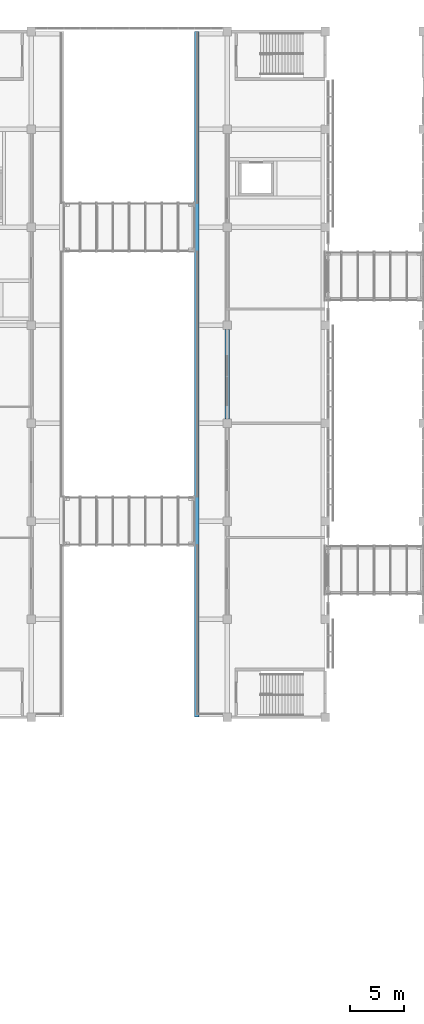
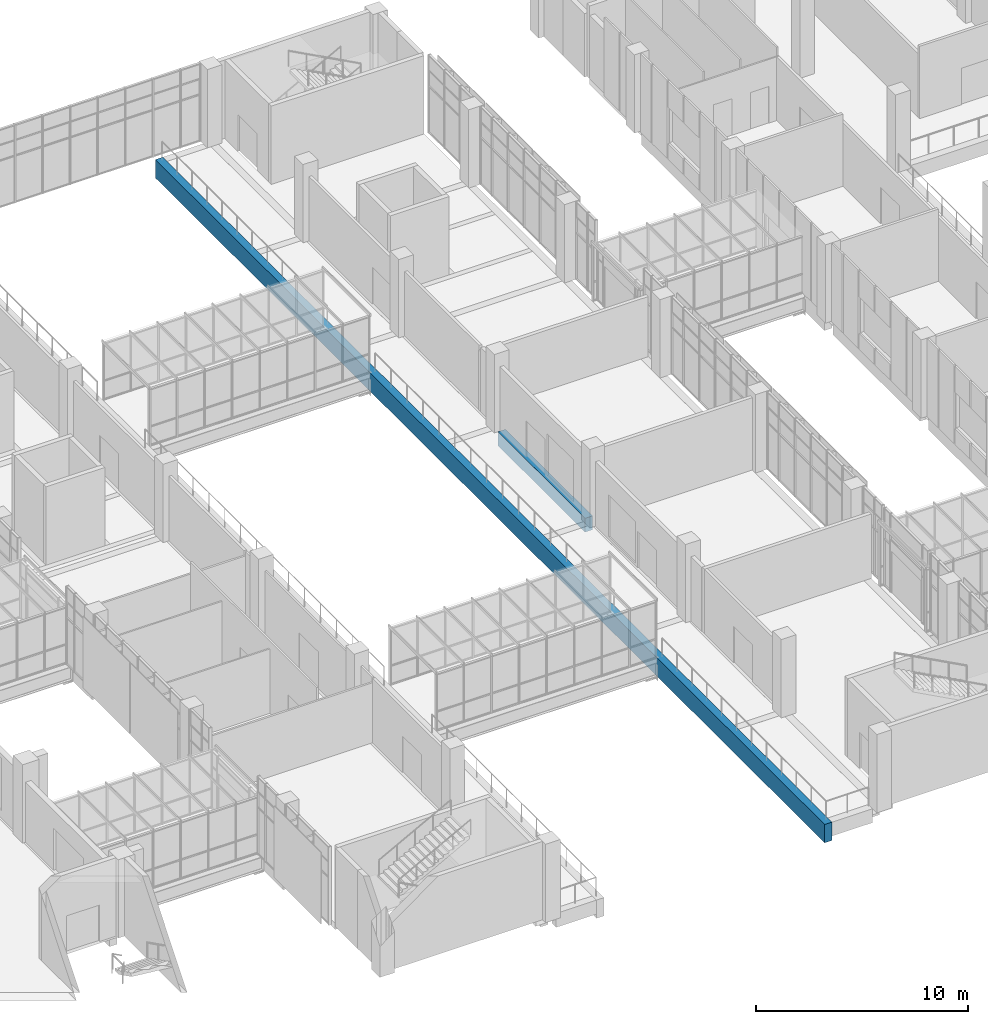
# One storey, part 22 of 88: 2 beams.
"""IFC4 building model written with IfcOpenShell, lengths in metres."""

from ifc_helpers import new_model, si_unit, direction, frame, origin, origin_2d, place, context, subcontext, project, spatial, rectangle, extrude, material, material_profile, profile_set, type_object, element, save


model = new_model("IFC4")

# Units and contexts
model_context = context("Model", 3, precision=1e-05, world=origin(), true_north=direction((0.0, 1.0)))
body_context = subcontext(model_context, "Body", "Model", "MODEL_VIEW")
ifc_project = project(units=[si_unit("LENGTHUNIT", "METRE"), si_unit("AREAUNIT", "SQUARE_METRE"), si_unit("VOLUMEUNIT", "CUBIC_METRE"), si_unit("PLANEANGLEUNIT", "RADIAN"), si_unit("MASSUNIT", "GRAM", prefix="KILO")], contexts=[model_context])

# Site, building, storey
site_placement = place(None, origin())
site = spatial("IfcSite", under=ifc_project, at=site_placement, CompositionType="ELEMENT")
building_placement = place(site_placement, origin())
building = spatial("IfcBuilding", under=site, at=building_placement, Name="Guidao Yard Department Store", CompositionType="ELEMENT")
storey_placement = place(building_placement, frame((0.0, 0.0, 6.0)))
storey = spatial("IfcBuildingStorey", under=building, at=storey_placement, Name="L01", CompositionType="ELEMENT", Elevation=6.0)

# Beams
ifc_material_1 = material(Name="Concrete C40", Category="concrete")
ifc_material_profile_1 = material_profile(ifc_material_1, rectangle(XDim=0.39990234375, YDim=1.050048828125, at=origin_2d()), Name="Bridge landing beam 400 x 1050 C40")
ifc_profile_set_1 = profile_set([ifc_material_profile_1], Name="Concrete C40")
beam_type_1 = type_object("IfcBeamType", Name="Bridge landing beam 400 x 1050 C40", PredefinedType="BEAM", material=ifc_profile_set_1)
beam_1_placement = place(storey_placement, frame((96.199951171875, 45.0, -0.52490234375), z_axis=(0.0, 1.0, 0.0), x_axis=(-1.0, 0.0, 0.0)))
element("IfcBeam", 1, at=beam_1_placement, inside=storey, type_object=beam_type_1, Name="Beam LB12", PredefinedType="BEAM", context=body_context, shape_type="SweptSolid", body=[
    extrude(rectangle(XDim=0.39990234375, YDim=1.050048828125, at=origin_2d()), origin(), (0.0, 0.0, 1.0), 63.0),
])
ifc_material_2 = material(Name="Concrete C40", Category="concrete")
ifc_material_profile_2 = material_profile(ifc_material_2, rectangle(XDim=0.39990234375, YDim=0.800048828125, at=origin_2d()), Name="Edge beam 400 x 800 C40")
ifc_profile_set_2 = profile_set([ifc_material_profile_2], Name="Concrete C40")
beam_type_2 = type_object("IfcBeamType", Name="Edge beam 400 x 800 C40", PredefinedType="BEAM", material=ifc_profile_set_2)
beam_2_placement = place(storey_placement, frame((99.0, 72.39990234375, -0.39990234375), z_axis=(0.0, 1.0, 0.0), x_axis=(-1.0, 0.0, 0.0)))
element("IfcBeam", 2, at=beam_2_placement, inside=storey, type_object=beam_type_2, Name="Beam EB51", PredefinedType="BEAM", context=body_context, shape_type="SweptSolid", body=[
    extrude(rectangle(XDim=0.39990234375, YDim=0.800048828125, at=origin_2d()), origin(), (0.0, 0.0, 1.0), 8.2001953125),
])

save(model, "model.ifc")
